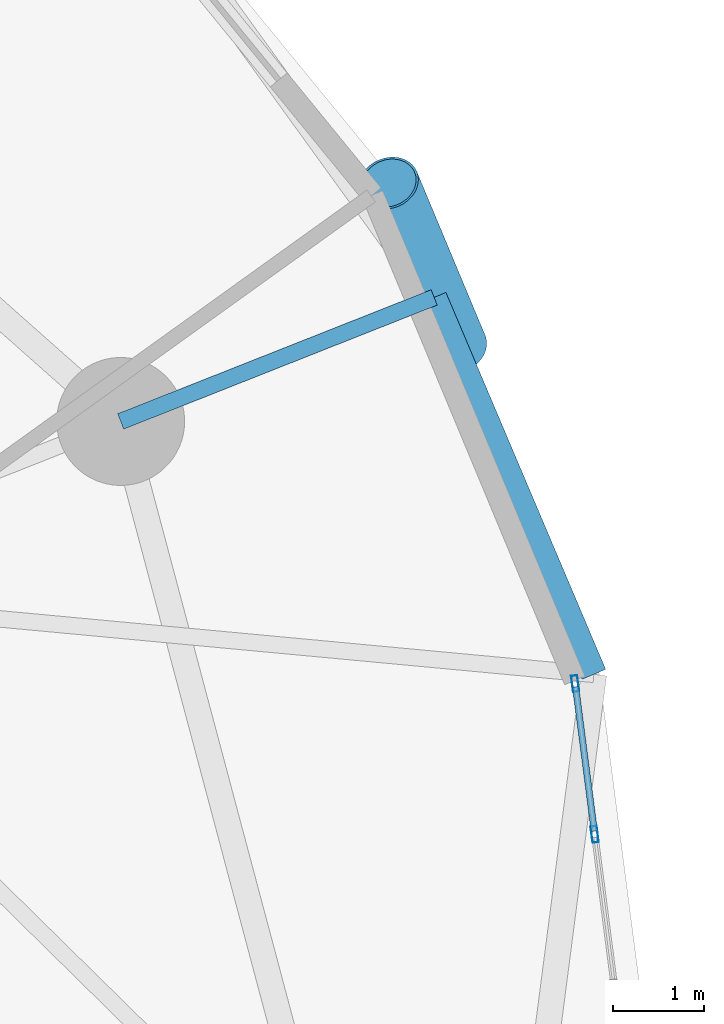
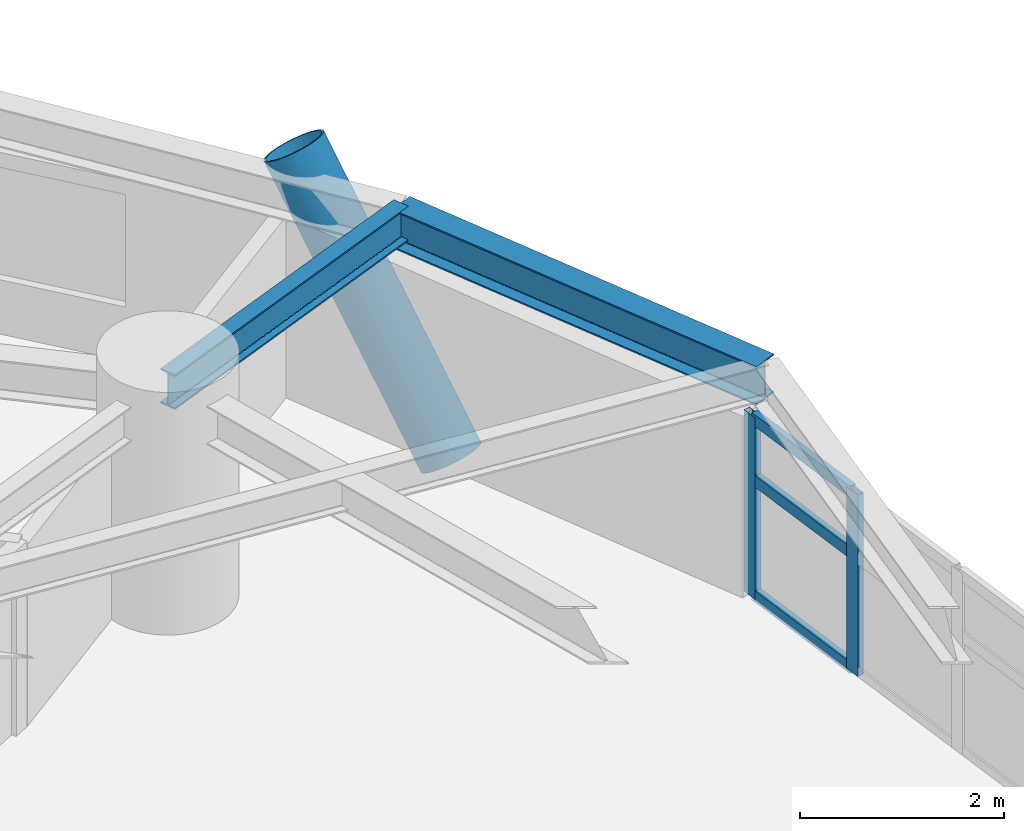
# One storey, part 4 of 17: 6 members, 2 beams, 1 element without a shape of its own.
"""IFC4 building model written with IfcOpenShell, lengths in metres."""

from ifc_helpers import new_model, si_unit, direction, frame, origin, origin_2d, place, context, subcontext, project, spatial, hollow_rectangle, hollow_circle, i_section, extrude, material, layer, layer_set, material_profile, profile_set, type_object, element, aggregate, save


model = new_model("IFC4")

# Units and contexts
model_context = context("Model", 3, precision=1e-05, world=origin(), true_north=direction((0.0, 1.0)))
body_context = subcontext(model_context, "Body", "Model", "MODEL_VIEW")
ifc_project = project(units=[si_unit("LENGTHUNIT", "METRE"), si_unit("AREAUNIT", "SQUARE_METRE"), si_unit("VOLUMEUNIT", "CUBIC_METRE"), si_unit("PLANEANGLEUNIT", "RADIAN"), si_unit("MASSUNIT", "GRAM", prefix="KILO")], contexts=[model_context])

# Site, building, storey
site_placement = place(None, origin())
site = spatial("IfcSite", under=ifc_project, at=site_placement, CompositionType="ELEMENT")
building_placement = place(site_placement, origin())
building = spatial("IfcBuilding", under=site, at=building_placement, Name="Cununo Teusaquillo Station Towers", CompositionType="ELEMENT")
storey_placement = place(building_placement, frame((0.0, 0.0, 116.7099609375)))
storey = spatial("IfcBuildingStorey", under=building, at=storey_placement, Name="L37", CompositionType="ELEMENT", Elevation=116.7099609375)

# Beams
ifc_material_1 = material(Name="Steel ASTM A572 Grade 50", Category="steel")
ifc_material_profile_1 = material_profile(ifc_material_1, i_section(OverallWidth=0.180908203125, OverallDepth=0.4169921875, WebThickness=0.010986328125, FlangeThickness=0.018310546875, FilletRadius=0.012939453125, at=origin_2d()), Name="W16X57")
ifc_profile_set_1 = profile_set([ifc_material_profile_1], Name="Steel ASTM A572 Grade 50")
beam_type_1 = type_object("IfcBeamType", Name="BM-RAD-G2", PredefinedType="BEAM", material=ifc_profile_set_1)
beam_1_placement = place(storey_placement, frame((26.347412109375, 33.228515625, 2.46142578125), z_axis=(0.929861788731, 0.367909029323, 0.0), x_axis=(-0.367909029323, 0.929861788731, 0.0)))
element("IfcBeam", 1, at=beam_1_placement, inside=storey, type_object=beam_type_1, Name="L37 Tower A Perimeter Overhang Girder 02B", PredefinedType="BEAM", context=body_context, shape_type="SweptSolid", body=[
    extrude(i_section(OverallWidth=0.180908203125, OverallDepth=0.4169921875, WebThickness=0.010986328125, FlangeThickness=0.018310546875, FilletRadius=0.012939453125, at=origin_2d()), origin(), (0.0, 0.0, 1.0), 3.690185546875),
])
ifc_material_2 = material(Name="Steel ASTM A572 Grade 50", Category="steel")
ifc_material_profile_2 = material_profile(ifc_material_2, i_section(OverallWidth=0.280029296875, OverallDepth=0.462890625, WebThickness=0.0107421875, FlangeThickness=0.017333984375, FilletRadius=0.013916015625, at=origin_2d()), Name="W18X76")
ifc_profile_set_2 = profile_set([ifc_material_profile_2], Name="Steel ASTM A572 Grade 50")
beam_type_2 = type_object("IfcBeamType", Name="BM-RING-Z2", PredefinedType="SPANDREL", material=ifc_profile_set_2)
beam_2_placement = place(storey_placement, frame((31.527587890625, 30.4609375, 2.4384765625), z_axis=(-0.390299356049, 0.920688010494, 0.0), x_axis=(-0.920688010494, -0.390299356049, 0.0)))
element("IfcBeam", 2, at=beam_2_placement, inside=storey, type_object=beam_type_2, Name="L37 Tower A Spandrel Ring Beam 02", PredefinedType="SPANDREL", context=body_context, shape_type="SweptSolid", body=[
    extrude(i_section(OverallWidth=0.280029296875, OverallDepth=0.462890625, WebThickness=0.0107421875, FlangeThickness=0.017333984375, FilletRadius=0.013916015625, at=origin_2d()), origin(), (0.0, 0.0, 1.0), 4.480712890625),
])

# Curtain wall, members
ifc_material_3 = material(Name="Ceramic-fritted dark low-E double glazing", Category="glass")
ifc_layer = layer(ifc_material_3, 0.179931640625)
ifc_layer_set = layer_set([ifc_layer], Name="Ceramic-fritted dark low-E double glazing")
curtain_wall_type = type_object("IfcCurtainWallType", Name="CW-SYS-04", PredefinedType="USERDEFINED", material=ifc_layer_set)
curtain_wall_placement = place(storey_placement, origin())
curtain_wall = element("IfcCurtainWall", 3, at=curtain_wall_placement, inside=storey, type_object=curtain_wall_type, Name="L37 Tower A Facade Curtain Wall C00", ObjectType="FRITTED GLAZING", PredefinedType="USERDEFINED")
ifc_material_4 = material(Name="Anodised dark bronze aluminium EN AW-6063-T6", Category="aluminium")
ifc_material_profile_3 = material_profile(ifc_material_4, hollow_rectangle(XDim=0.070068359375, YDim=0.179931640625, WallThickness=0.00390625, at=origin_2d()), Name="CW-MULL-70x180")
ifc_profile_set_3 = profile_set([ifc_material_profile_3], Name="Anodised dark bronze aluminium EN AW-6063-T6")
member_type_1 = type_object("IfcMemberType", Name="CWM-180", PredefinedType="MULLION", material=ifc_profile_set_3)
member_1_placement = place(storey_placement, frame((31.322998046875, 30.3583984375, 0.0), z_axis=(0.0, 0.0, 1.0), x_axis=(0.991730764367, 0.128335852387, 0.0)))
member_1 = element("IfcMember", 4, at=member_1_placement, type_object=member_type_1, Name="CW-04 mullion 1", PredefinedType="MULLION", context=body_context, shape_type="SweptSolid", body=[
    extrude(hollow_rectangle(XDim=0.070068359375, YDim=0.179931640625, WallThickness=0.00390625, at=origin_2d()), origin(), (0.0, 0.0, 1.0), 2.178955078125),
])
member_2_placement = place(storey_placement, frame((31.5361328125, 28.709716796875, 0.0), z_axis=(0.0, 0.0, 1.0), x_axis=(0.991730764367, 0.128335852387, 0.0)))
member_2 = element("IfcMember", 5, at=member_2_placement, type_object=member_type_1, Name="CW-04 mullion 2", PredefinedType="MULLION", context=body_context, shape_type="SweptSolid", body=[
    extrude(hollow_rectangle(XDim=0.070068359375, YDim=0.179931640625, WallThickness=0.00390625, at=origin_2d()), origin(), (0.0, 0.0, 1.0), 2.178955078125),
])
ifc_material_5 = material(Name="Anodised dark bronze aluminium EN AW-6063-T6", Category="aluminium")
ifc_material_profile_4 = material_profile(ifc_material_5, hollow_rectangle(XDim=0.070068359375, YDim=0.139892578125, WallThickness=0.00390625, at=origin_2d()), Name="CW-TRAN-70x140")
ifc_profile_set_4 = profile_set([ifc_material_profile_4], Name="Anodised dark bronze aluminium EN AW-6063-T6")
member_type_2 = type_object("IfcMemberType", Name="CWT-140", PredefinedType="USERDEFINED", material=ifc_profile_set_4)
member_3_placement = place(storey_placement, frame((31.327392578125, 30.323486328125, 0.03515625), z_axis=(0.128336210724, -0.991730717996, 0.0), x_axis=(0.991730717996, 0.128336210724, 0.0)))
member_3 = element("IfcMember", 6, at=member_3_placement, type_object=member_type_2, Name="CW-04 transom 1.1", ObjectType="TRANSOM", PredefinedType="USERDEFINED", context=body_context, shape_type="SweptSolid", body=[
    extrude(hollow_rectangle(XDim=0.070068359375, YDim=0.139892578125, WallThickness=0.00390625, at=origin_2d()), origin(), (0.0, 0.0, 1.0), 1.59228515625),
])
member_4_placement = place(storey_placement, frame((31.327392578125, 30.323486328125, 1.416015625), z_axis=(0.128336210724, -0.991730717996, 0.0), x_axis=(0.991730717996, 0.128336210724, 0.0)))
member_4 = element("IfcMember", 7, at=member_4_placement, type_object=member_type_2, Name="CW-04 transom 1.2", ObjectType="TRANSOM", PredefinedType="USERDEFINED", context=body_context, shape_type="SweptSolid", body=[
    extrude(hollow_rectangle(XDim=0.070068359375, YDim=0.139892578125, WallThickness=0.00390625, at=origin_2d()), origin(), (0.0, 0.0, 1.0), 1.59228515625),
])
member_5_placement = place(storey_placement, frame((31.327392578125, 30.323486328125, 2.14404296875), z_axis=(0.128336210724, -0.991730717996, 0.0), x_axis=(0.991730717996, 0.128336210724, 0.0)))
member_5 = element("IfcMember", 8, at=member_5_placement, type_object=member_type_2, Name="CW-04 transom 1.3", ObjectType="TRANSOM", PredefinedType="USERDEFINED", context=body_context, shape_type="SweptSolid", body=[
    extrude(hollow_rectangle(XDim=0.070068359375, YDim=0.139892578125, WallThickness=0.00390625, at=origin_2d()), origin(), (0.0, 0.0, 1.0), 1.59228515625),
])
aggregate(curtain_wall, [member_1, member_2, member_3, member_4, member_5])

# Member
ifc_material_6 = material(Name="Steel EN 10025-2 S355J2", Category="steel")
ifc_material_profile_5 = material_profile(ifc_material_6, hollow_circle(Radius=0.330078125, WallThickness=0.02490234375, at=origin_2d()), Name="CHS 660x25")
ifc_profile_set_5 = profile_set([ifc_material_profile_5], Name="Steel EN 10025-2 S355J2")
member_type_3 = type_object("IfcMemberType", Name="MBR-DIAG-Z2", PredefinedType="BRACE", material=ifc_profile_set_5)
member_6_placement = place(storey_placement, frame((30.031494140625, 34.0458984375, -0.139892578125), z_axis=(-0.213880258627, 0.512335679883, 0.831725547334), x_axis=(-0.922816406816, -0.385240028179, 0.0)))
element("IfcMember", 9, at=member_6_placement, inside=storey, type_object=member_type_3, Name="L37 Tower A Folded-Zigzag Diagrid Tube C01", PredefinedType="BRACE", context=body_context, shape_type="SweptSolid", body=[
    extrude(hollow_circle(Radius=0.330078125, WallThickness=0.02490234375, at=origin_2d()), origin(), (0.0, 0.0, 1.0), 3.49853515625),
])

save(model, "model.ifc")
